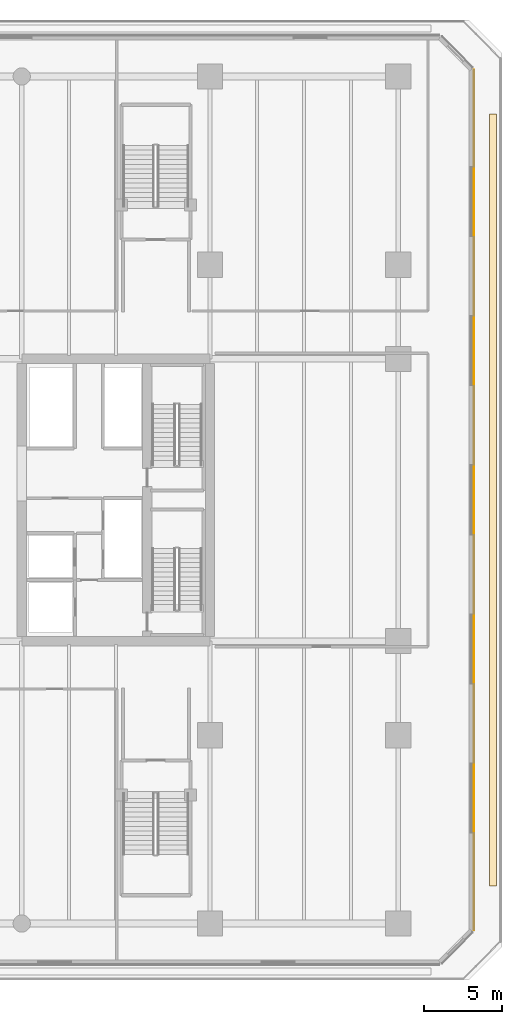
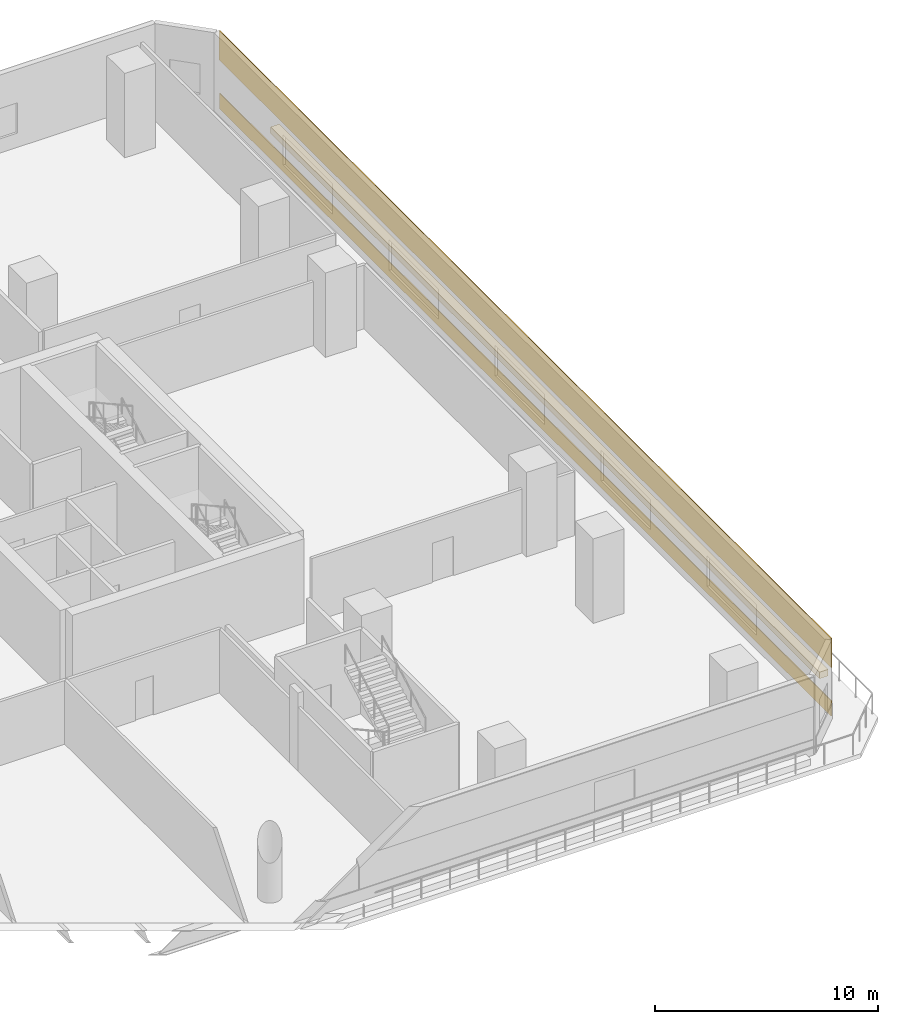
# One storey, part 23 of 27: 3 coverings.
"""IFC4 building model written with IfcOpenShell, lengths in metres."""

import ifcopenshell
import ifcopenshell.guid

model = None  # the IFC model being written
_history = None  # IfcOwnerHistory: only IFC2X3 demands one
_inside = {}  # id of a spatial element -> (the spatial element, [elements in it])
_under = {}  # id of a project, library or spatial element -> (it, [spatial elements below it])
_declared = {}  # id of a project -> (the project, [libraries it declares])
_typed = {}  # id of a type object -> (the type object, [elements of that type])
_made_of = {}  # id of a material, layer set ... -> (it, [elements and type objects made of it])


def new_model(schema):
    """Start an empty IFC model of exactly this schema.

    Asked for "IFC4X3", IfcOpenShell would pick the latest addendum, in which some entities
    have other attributes; the version numbers below select the first issue.
    IFC2X3 requires an IfcOwnerHistory on every rooted entity: one is made here for all.
    """
    global model, _history
    if schema == "IFC4X3":
        model = ifcopenshell.file(schema_version=(4, 3, 0, 0))
    else:
        model = ifcopenshell.file(schema=schema)
    _inside.clear()
    _under.clear()
    _declared.clear()
    _typed.clear()
    _made_of.clear()
    _history = None
    if model.schema == "IFC2X3":
        org = make("IfcOrganization", Name="unknown")
        user = make(
            "IfcPersonAndOrganization",
            ThePerson=make("IfcPerson", FamilyName="unknown"),
            TheOrganization=org,
        )
        app = make(
            "IfcApplication",
            ApplicationDeveloper=org,
            Version="unknown",
            ApplicationFullName="unknown",
            ApplicationIdentifier="unknown",
        )
        _history = make(
            "IfcOwnerHistory",
            OwningUser=user,
            OwningApplication=app,
            ChangeAction="ADDED",
            CreationDate=0,
        )
    return model


def make(cls, **values):
    """One entity of the class cls with the attributes given. An attribute that is None is left unset."""
    return model.create_entity(
        cls, **{name: value for name, value in values.items() if value is not None}
    )


def rooted(cls, **values):
    """An entity with a GlobalId (a new one), such as an element, a storey or a relation."""
    return make(cls, GlobalId=ifcopenshell.guid.new(), OwnerHistory=_history, **values)


def si_unit(unit_type, name, prefix=None):
    """IfcSIUnit, for example si_unit("LENGTHUNIT", "METRE", prefix="MILLI")."""
    return make("IfcSIUnit", UnitType=unit_type, Prefix=prefix, Name=name)


def assignment(units):
    """IfcUnitAssignment: the units of a project."""
    return None if units is None else make("IfcUnitAssignment", Units=units)


def point(xyz):
    """IfcCartesianPoint."""
    return None if xyz is None else make("IfcCartesianPoint", Coordinates=xyz)


def direction(xyz):
    """IfcDirection."""
    return None if xyz is None else make("IfcDirection", DirectionRatios=xyz)


def frame(location, z_axis=None, x_axis=None):
    """IfcAxis2Placement3D, a coordinate frame: its origin and axes. An axis left out is left unset."""
    return make(
        "IfcAxis2Placement3D",
        Location=point(location),
        Axis=direction(z_axis),
        RefDirection=direction(x_axis),
    )


def frame_2d(location, x_axis=None):
    """IfcAxis2Placement2D, a coordinate frame in the plane: its origin and x axis."""
    return make(
        "IfcAxis2Placement2D", Location=point(location), RefDirection=direction(x_axis)
    )


def origin():
    """The frame at (0, 0, 0) with its axes left unset."""
    return frame((0.0, 0.0, 0.0))


def origin_2d():
    """The frame at (0, 0) in the plane with its x axis left unset."""
    return frame_2d((0.0, 0.0))


def place(relative_to, where):
    """IfcLocalPlacement: puts the frame where relative to a parent placement (None: the world)."""
    return make(
        "IfcLocalPlacement", PlacementRelTo=relative_to, RelativePlacement=where
    )


def context(
    kind, dimensions, precision=None, world=None, true_north=None, identifier=None
):
    """IfcGeometricRepresentationContext, for example the 3D "Model" context."""
    return make(
        "IfcGeometricRepresentationContext",
        ContextIdentifier=identifier,
        ContextType=kind,
        CoordinateSpaceDimension=dimensions,
        Precision=precision,
        WorldCoordinateSystem=world,
        TrueNorth=true_north,
    )


def subcontext(parent, identifier, kind, view, scale=None):
    """IfcGeometricRepresentationSubContext, for example "Body" below "Model"."""
    return make(
        "IfcGeometricRepresentationSubContext",
        ContextIdentifier=identifier,
        ContextType=kind,
        ParentContext=parent,
        TargetScale=scale,
        TargetView=view,
    )


def project(units=None, contexts=None):
    """IfcProject with its units and contexts."""
    return rooted(
        "IfcProject",
        Name="project",
        RepresentationContexts=contexts,
        UnitsInContext=assignment(units),
    )


def spatial(cls, under=None, at=None, **own):
    """A site, building, storey or space (cls), placed at a placement, below another one or the project."""
    s = rooted(cls, ObjectPlacement=at, **own)
    if under is not None:
        _under.setdefault(under.id(), (under, []))[1].append(s)
    return s


def polyline(points):
    """IfcPolyline through the points."""
    return make("IfcPolyline", Points=[point(p) for p in points])


def profile(cls, at=None, kind="AREA", **sizes):
    """A parametric profile (cls). Its sizes go by their IFC names, for example OverallWidth=200.0."""
    return make(cls, ProfileType=kind, Position=at, **sizes)


def rectangle(**sizes):
    """IfcRectangleProfileDef."""
    return profile("IfcRectangleProfileDef", **sizes)


def outline(outer, holes=None, kind="AREA"):
    """IfcArbitraryClosedProfileDef: a profile drawn as a closed curve; with holes, ...WithVoids."""
    if holes is None:
        return make("IfcArbitraryClosedProfileDef", ProfileType=kind, OuterCurve=outer)
    return make(
        "IfcArbitraryProfileDefWithVoids",
        ProfileType=kind,
        OuterCurve=outer,
        InnerCurves=holes,
    )


def extrude(swept, where, along, depth):
    """IfcExtrudedAreaSolid: the profile swept, set in the frame where, extruded along a direction by depth."""
    return make(
        "IfcExtrudedAreaSolid",
        SweptArea=swept,
        Position=where,
        ExtrudedDirection=direction(along),
        Depth=depth,
    )


def shape(context_of_items, identifier, shape_type, items):
    """IfcShapeRepresentation: the items that make up one representation, for example the "Body"."""
    return make(
        "IfcShapeRepresentation",
        ContextOfItems=context_of_items,
        RepresentationIdentifier=identifier,
        RepresentationType=shape_type,
        Items=items,
    )


def material(Name=None, Category=None):
    """IfcMaterial."""
    return make("IfcMaterial", Name=Name, Category=Category)


def layer(
    of_material, thickness, ventilated=None, Name=None, Category=None, Priority=None
):
    """IfcMaterialLayer: one layer of a wall or slab, of a material (None: an air gap)."""
    return make(
        "IfcMaterialLayer",
        Material=of_material,
        LayerThickness=thickness,
        IsVentilated=ventilated,
        Name=Name,
        Category=Category,
        Priority=Priority,
    )


def layer_set(layers, Name=None):
    """IfcMaterialLayerSet."""
    return make("IfcMaterialLayerSet", MaterialLayers=layers, LayerSetName=Name)


def made_of(thing, what):
    """Note that an element or type object is made of a material, layer set ...; save() writes the relation."""
    if what is not None:
        _made_of.setdefault(what.id(), (what, []))[1].append(thing)
    return thing


def type_object(cls, material=None, **own):
    """A type object (cls), such as IfcWallType, which elements share."""
    return made_of(rooted(cls, **own), material)


def element(
    cls,
    number,
    at=None,
    inside=None,
    cuts=None,
    type_object=None,
    material=None,
    context=None,
    identifier="Body",
    shape_type=None,
    held_by="IfcProductDefinitionShape",
    body=None,
    shapes=None,
    **own,
):
    """One element of the class cls, such as IfcWall. Its Tag is "e" and its number.

    at: its placement. inside: the storey or other place that contains it. cuts: it is an
    opening in that element (IfcRelVoidsElement). A single representation is given by context,
    identifier, shape_type and body (its items); several are given by shapes. held_by: the class
    of the entity that holds the representations. save() writes the other relations.
    """
    e = rooted(cls, Tag="e%d" % number, ObjectPlacement=at, **own)
    if body is not None:
        shapes = [shape(context, identifier, shape_type, body)]
    if shapes is not None:
        e.Representation = make(held_by, Representations=shapes)
    if inside is not None:
        _inside.setdefault(inside.id(), (inside, []))[1].append(e)
    if cuts is not None:
        rooted(
            "IfcRelVoidsElement", RelatingBuildingElement=cuts, RelatedOpeningElement=e
        )
    if type_object is not None:
        _typed.setdefault(type_object.id(), (type_object, []))[1].append(e)
    return made_of(e, material)


def aggregate(whole, parts):
    """IfcRelAggregates: a whole, such as a stair, and the parts it consists of."""
    return rooted("IfcRelAggregates", RelatingObject=whole, RelatedObjects=parts)


def save(model, path):
    """Write the relations noted so far, then the file.

    IfcRelAggregates (storeys below a building ...), IfcRelContainedInSpatialStructure (elements
    in a storey), IfcRelDefinesByType, IfcRelAssociatesMaterial and IfcRelDeclares: one each for
    every whole, place, type object, material and project.
    """
    for whole, parts in _under.values():
        aggregate(whole, parts)
    for where, things in _inside.values():
        rooted(
            "IfcRelContainedInSpatialStructure",
            RelatedElements=things,
            RelatingStructure=where,
        )
    for kind, things in _typed.values():
        rooted("IfcRelDefinesByType", RelatedObjects=things, RelatingType=kind)
    for what, things in _made_of.values():
        rooted("IfcRelAssociatesMaterial", RelatedObjects=things, RelatingMaterial=what)
    for by, libraries in _declared.values():
        rooted("IfcRelDeclares", RelatingContext=by, RelatedDefinitions=libraries)
    model.write(path)


model = new_model("IFC4")

# Units and contexts
model_context = context("Model", 3, precision=1e-05, world=origin(), true_north=direction((0.0, 1.0)))
body_context = subcontext(model_context, "Body", "Model", "MODEL_VIEW")
ifc_project = project(units=[si_unit("LENGTHUNIT", "METRE"), si_unit("AREAUNIT", "SQUARE_METRE"), si_unit("VOLUMEUNIT", "CUBIC_METRE"), si_unit("PLANEANGLEUNIT", "RADIAN"), si_unit("MASSUNIT", "GRAM", prefix="KILO")], contexts=[model_context])

# Site, building, storey
site_placement = place(None, origin())
site = spatial("IfcSite", under=ifc_project, at=site_placement, CompositionType="ELEMENT")
building_placement = place(site_placement, origin())
building = spatial("IfcBuilding", under=site, at=building_placement, Name="Tanjung Sevakor Pilgrim Tower", CompositionType="ELEMENT")
storey_placement = place(building_placement, frame((0.0, 0.0, 19.469970703125)))
storey = spatial("IfcBuildingStorey", under=building, at=storey_placement, Name="L05", CompositionType="ELEMENT", Elevation=19.469970703125)

# Coverings
ifc_material_1 = material(Name="Reconstructed Limestone Cladding", Category="masonry")
ifc_layer_1 = layer(ifc_material_1, 0.044921875)
ifc_layer_set_1 = layer_set([ifc_layer_1], Name="COV-CLAD-LIMESTONE")
covering_type_1 = type_object("IfcCoveringType", Name="COV-CLAD-LIMESTONE", PredefinedType="CLADDING", material=ifc_layer_set_1)
covering_1_placement = place(storey_placement, frame((106.822509765625, 33.60009765625, 0.009765625), z_axis=(0.0, 0.0, 1.0), x_axis=(0.0, 1.0, 0.0)))
element("IfcCovering", 1, at=covering_1_placement, inside=storey, type_object=covering_type_1, Name="L05 Warm Limestone Sill Spandrel EW-L05-MAIN-3-1", PredefinedType="CLADDING", context=body_context, shape_type="SweptSolid", body=[
    extrude(rectangle(XDim=54.803955078125, YDim=0.044921875, at=origin_2d()), origin(), (0.0, 0.0, 1.0), 0.840087890625),
])
covering_2_placement = place(storey_placement, frame((106.822509765625, 33.60009765625, 2.659912109375), z_axis=(0.0, 0.0, 1.0), x_axis=(0.0, 1.0, 0.0)))
element("IfcCovering", 2, at=covering_2_placement, inside=storey, type_object=covering_type_1, Name="L05 Warm Limestone Cornice Spandrel EW-L05-MAIN-3", PredefinedType="CLADDING", context=body_context, shape_type="SweptSolid", body=[
    extrude(rectangle(XDim=54.843994140625, YDim=0.044921875, at=origin_2d()), origin(), (0.0, 0.0, 1.0), 1.60009765625),
])
ifc_material_2 = material(Name="Vegetated Modular Planter Assembly", Category="organic")
ifc_layer_2 = layer(ifc_material_2, 0.35009765625)
ifc_layer_set_2 = layer_set([ifc_layer_2], Name="COV-GRN-TROUGH")
covering_type_2 = type_object("IfcCoveringType", Name="COV-GRN-TROUGH", PredefinedType="CLADDING", material=ifc_layer_set_2)
covering_3_placement = place(storey_placement, origin())
element("IfcCovering", 3, at=covering_3_placement, inside=storey, type_object=covering_type_2, Name="L05 Planted Landscape Hedge Trough PGRN-L05-E", PredefinedType="CLADDING", context=body_context, shape_type="SweptSolid", body=[
    extrude(outline(polyline([(108.27001953125, 9.0), (108.27001953125, 58.199951171875), (107.830078125, 58.199951171875), (107.830078125, 9.0), (108.27001953125, 9.0)])), origin(), (0.0, 0.0, 1.0), 0.35009765625),
])

save(model, "model.ifc")
